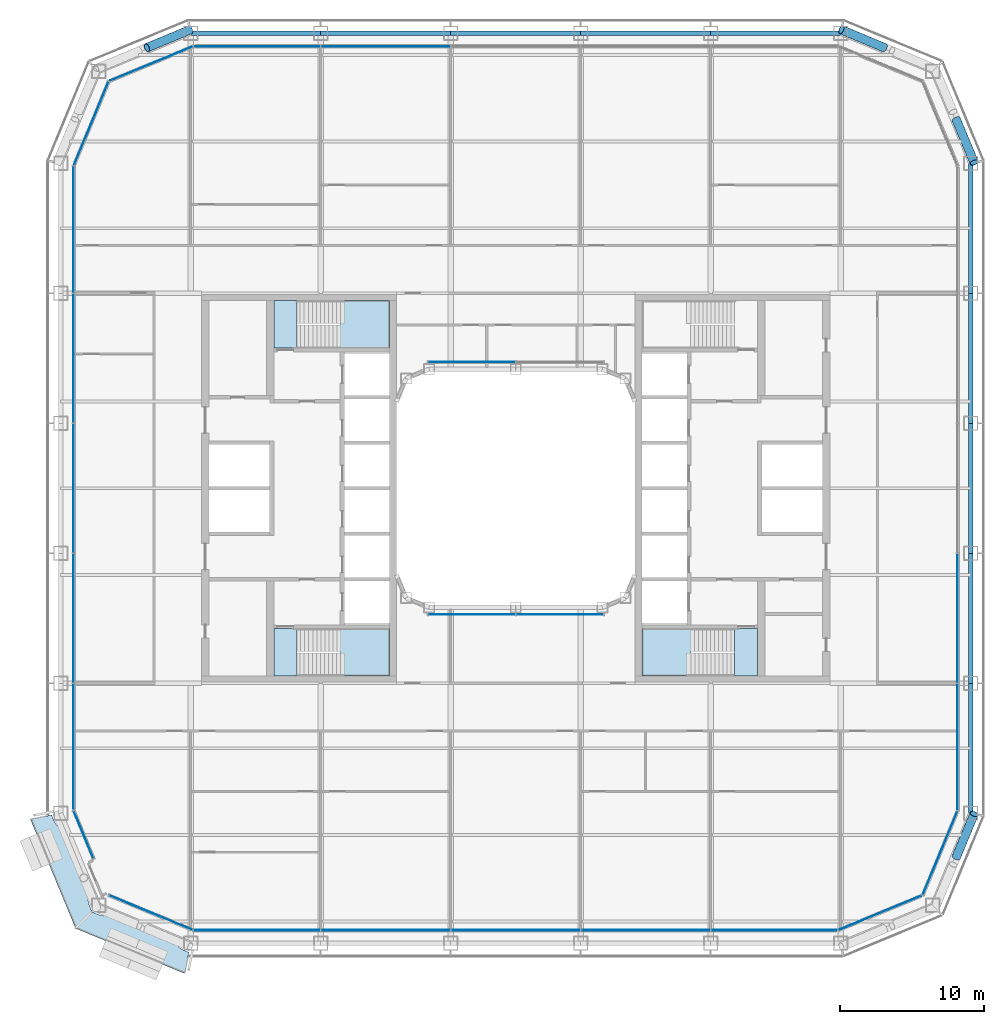
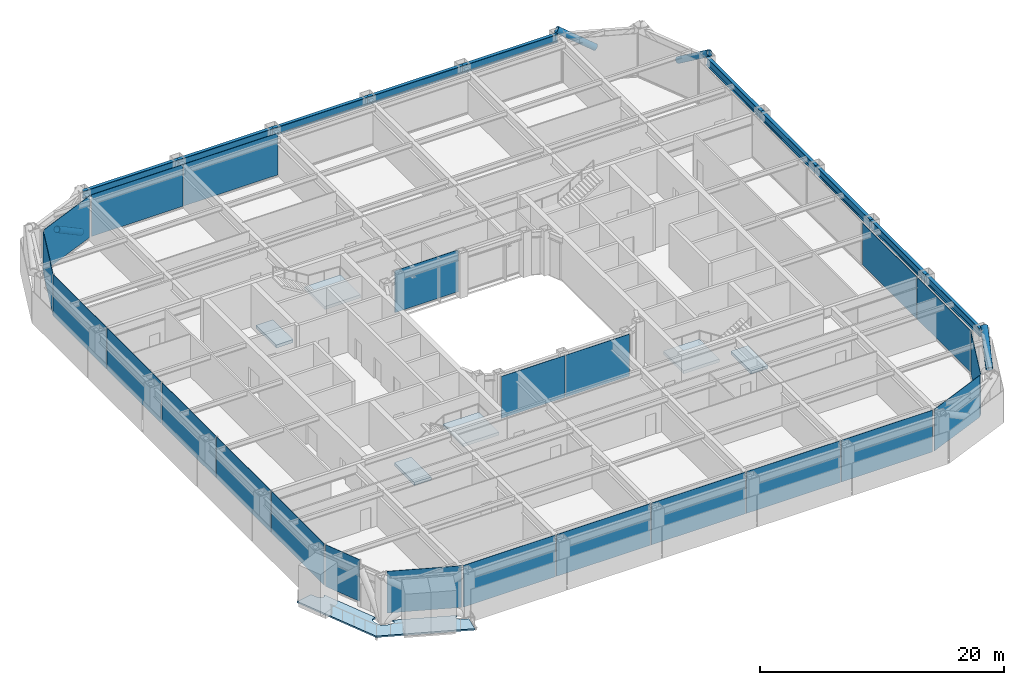
# One storey, part 11 of 27: 23 plates, 10 beams, 7 slabs, 4 members, 15 elements without a shape of their own.
"""IFC4 building model written with IfcOpenShell, lengths in metres."""

from ifc_helpers import new_model, si_unit, direction, frame, origin, origin_2d, place, context, subcontext, project, spatial, polyline, rectangle, hollow_circle, i_section, outline, extrude, material, layer, layer_set, material_profile, profile_set, type_object, element, aggregate, save


model = new_model("IFC4")

# Units and contexts
model_context = context("Model", 3, precision=1e-05, world=origin(), true_north=direction((0.0, 1.0)))
body_context = subcontext(model_context, "Body", "Model", "MODEL_VIEW")
ifc_project = project(units=[si_unit("LENGTHUNIT", "METRE"), si_unit("AREAUNIT", "SQUARE_METRE"), si_unit("VOLUMEUNIT", "CUBIC_METRE"), si_unit("PLANEANGLEUNIT", "RADIAN"), si_unit("MASSUNIT", "GRAM", prefix="KILO")], contexts=[model_context])

# Site, building, storey
site_placement = place(None, origin())
site = spatial("IfcSite", under=ifc_project, at=site_placement, CompositionType="ELEMENT")
building_placement = place(site_placement, origin())
building = spatial("IfcBuilding", under=site, at=building_placement, Name="Siwar Civic Tower", CompositionType="ELEMENT")
storey_placement = place(building_placement, frame((0.0, 0.0, 89.699951171875)))
storey = spatial("IfcBuildingStorey", under=building, at=storey_placement, Name="L19", CompositionType="ELEMENT", Elevation=89.699951171875)

# Members
ifc_material_1 = material(Name="Steel S355", Category="steel")
ifc_material_profile_1 = material_profile(ifc_material_1, hollow_circle(Radius=0.304931640625, WallThickness=0.030029296875, at=origin_2d()), Name="CHS610x30")
ifc_profile_set_1 = profile_set([ifc_material_profile_1], Name="Steel S355")
member_type = type_object("IfcMemberType", Name="STR-BR-CHS610x30", PredefinedType="BRACE", material=ifc_profile_set_1)
for number, where, z_axis, x_axis, name in (
    (1, (30.500244140625, -25.537353515625, 2.428466796875), (0.3238932121, 0.777559680196, 0.53897507446), (-0.923114847559, 0.384524353215, 0.0), "L19/brc/ASE1-18-0-3"),
    (2, (25.537353515625, 30.500244140625, 2.428466796875), (-0.777559680196, 0.3238932121, 0.53897507446), (-0.384524353215, -0.923114847559, 0.0), "L19/brc/ANE1-18-0-3"),
    (3, (30.500244140625, 25.537353515625, 2.428466796875), (0.3238932121, -0.777559680196, 0.53897507446), (0.923114847559, 0.384524353215, 0.0), "L19/brc/ANE1-18-0-5"),
    (4, (-22.548828125, 31.7451171875, 0.0), (-0.777533059308, -0.323882123145, 0.539020140617), (0.384524353215, -0.923114847559, 0.0), "L19/brc/ANW1-18-0-4"),
):
    element("IfcMember", number, at=place(storey_placement, frame(where, z_axis=z_axis, x_axis=x_axis)), inside=storey, type_object=member_type, Name=name, PredefinedType="BRACE", context=body_context, shape_type="SweptSolid", body=[
        extrude(hollow_circle(Radius=0.304931640625, WallThickness=0.030029296875, at=origin_2d()), origin(), (0.0, 0.0, 1.0), 3.843505859375),
    ])

# Beams
ifc_material_2 = material(Name="Steel S355", Category="steel")
ifc_material_profile_2 = material_profile(ifc_material_2, i_section(OverallWidth=0.302978515625, OverallDepth=0.81396484375, WebThickness=0.02099609375, FlangeThickness=0.0400390625, FilletRadius=0.030029296875, at=origin_2d()), Name="HEM800")
ifc_profile_set_2 = profile_set([ifc_material_profile_2], Name="Steel S355")
beam_type = type_object("IfcBeamType", Name="STR-SB-HEM800", PredefinedType="BEAM", material=ifc_profile_set_2)
for number, where, z_axis, x_axis, name in (
    (5, (31.5, -22.5, 3.89306640625), (0.0, 1.0, 0.0), (-1.0, 0.0, 0.0), "L19/bm/SE-0"),
    (6, (31.5, -13.5, 3.89306640625), (0.0, 1.0, 0.0), (-1.0, 0.0, 0.0), "L19/bm/SE-1"),
    (7, (31.5, -4.5, 3.89306640625), (0.0, 1.0, 0.0), (-1.0, 0.0, 0.0), "L19/bm/SE-2"),
    (8, (31.5, 4.5, 3.89306640625), (0.0, 1.0, 0.0), (-1.0, 0.0, 0.0), "L19/bm/SE-3"),
    (9, (31.5, 13.5, 3.89306640625), (0.0, 1.0, 0.0), (-1.0, 0.0, 0.0), "L19/bm/SE-4"),
    (10, (22.5, 31.5, 3.89306640625), (-1.0, 0.0, 0.0), (0.0, -1.0, 0.0), "L19/bm/SN-0"),
    (11, (13.5, 31.5, 3.89306640625), (-1.0, 0.0, 0.0), (0.0, -1.0, 0.0), "L19/bm/SN-1"),
    (12, (4.5, 31.5, 3.89306640625), (-1.0, 0.0, 0.0), (0.0, -1.0, 0.0), "L19/bm/SN-2"),
    (13, (-4.5, 31.5, 3.89306640625), (-1.0, 0.0, 0.0), (0.0, -1.0, 0.0), "L19/bm/SN-3"),
    (14, (-13.5, 31.5, 3.89306640625), (-1.0, 0.0, 0.0), (0.0, -1.0, 0.0), "L19/bm/SN-4"),
):
    element("IfcBeam", number, at=place(storey_placement, frame(where, z_axis=z_axis, x_axis=x_axis)), inside=storey, type_object=beam_type, Name=name, PredefinedType="BEAM", context=body_context, shape_type="SweptSolid", body=[
        extrude(i_section(OverallWidth=0.302978515625, OverallDepth=0.81396484375, WebThickness=0.02099609375, FlangeThickness=0.0400390625, FilletRadius=0.030029296875, at=origin_2d()), origin(), (0.0, 0.0, 1.0), 9.0),
    ])

# Stair, slabs
ifc_material_3 = material(Name="Concrete C40/50", Category="concrete")
stair_type = type_object("IfcStairType", Name="CORE-STAIR", PredefinedType="TWO_STRAIGHT_RUN_STAIR", material=ifc_material_3)
stair_1_placement = place(storey_placement, origin())
stair_1 = element("IfcStair", 15, at=stair_1_placement, inside=storey, type_object=stair_type, Name="Exit stair ST1", PredefinedType="TWO_STRAIGHT_RUN_STAIR")
ifc_material_4 = material(Name="Concrete C40/50", Category="concrete")
ifc_layer_1 = layer(ifc_material_4, 0.300048828125)
ifc_layer_set_1 = layer_set([ifc_layer_1], Name="Concrete C40/50")
slab_type_1 = type_object("IfcSlabType", Name="CORE-STAIR-LANDING", PredefinedType="LANDING", material=ifc_layer_set_1)
slab_1_placement = place(storey_placement, frame((0.0, 0.0, -0.300048828125)))
slab_1 = element("IfcSlab", 16, at=slab_1_placement, type_object=slab_type_1, Name="ST1 landing 1", PredefinedType="LANDING", context=body_context, shape_type="SweptSolid", body=[
    extrude(outline(polyline([(-15.14990234375, 13.0), (-16.75, 13.0), (-16.75, 9.699951171875), (-15.14990234375, 9.699951171875), (-15.14990234375, 13.0)])), origin(), (0.0, 0.0, 1.0), 0.300048828125),
])
slab_2_placement = place(storey_placement, frame((0.0, 0.0, 1.949951171875)))
slab_2 = element("IfcSlab", 17, at=slab_2_placement, type_object=slab_type_1, Name="ST1 landing 2", PredefinedType="LANDING", context=body_context, shape_type="SweptSolid", body=[
    extrude(outline(polyline([(-8.75, 13.0), (-12.139892578125, 13.0), (-12.139892578125, 9.699951171875), (-8.75, 9.699951171875), (-8.75, 13.0)])), origin(), (0.0, 0.0, 1.0), 0.300048828125),
])
aggregate(stair_1, [slab_1, slab_2])

stair_2_placement = place(storey_placement, origin())
stair_2 = element("IfcStair", 18, at=stair_2_placement, inside=storey, type_object=stair_type, Name="Exit stair ST2", PredefinedType="TWO_STRAIGHT_RUN_STAIR")
slab_3_placement = place(storey_placement, frame((0.0, 0.0, -0.300048828125)))
slab_3 = element("IfcSlab", 19, at=slab_3_placement, type_object=slab_type_1, Name="ST2 landing 1", PredefinedType="LANDING", context=body_context, shape_type="SweptSolid", body=[
    extrude(outline(polyline([(-15.14990234375, -9.699951171875), (-16.75, -9.699951171875), (-16.75, -13.0), (-15.14990234375, -13.0), (-15.14990234375, -9.699951171875)])), origin(), (0.0, 0.0, 1.0), 0.300048828125),
])
slab_4_placement = place(storey_placement, frame((0.0, 0.0, 1.949951171875)))
slab_4 = element("IfcSlab", 20, at=slab_4_placement, type_object=slab_type_1, Name="ST2 landing 2", PredefinedType="LANDING", context=body_context, shape_type="SweptSolid", body=[
    extrude(outline(polyline([(-8.75, -9.699951171875), (-12.139892578125, -9.699951171875), (-12.139892578125, -13.0), (-8.75, -13.0), (-8.75, -9.699951171875)])), origin(), (0.0, 0.0, 1.0), 0.300048828125),
])
aggregate(stair_2, [slab_3, slab_4])

stair_3_placement = place(storey_placement, origin())
stair_3 = element("IfcStair", 21, at=stair_3_placement, inside=storey, type_object=stair_type, Name="Exit stair ST4", PredefinedType="TWO_STRAIGHT_RUN_STAIR")
slab_5_placement = place(storey_placement, frame((0.0, 0.0, -0.300048828125)))
slab_5 = element("IfcSlab", 22, at=slab_5_placement, type_object=slab_type_1, Name="ST4 landing 1", PredefinedType="LANDING", context=body_context, shape_type="SweptSolid", body=[
    extrude(outline(polyline([(15.14990234375, -13.0), (16.75, -13.0), (16.75, -9.699951171875), (15.14990234375, -9.699951171875), (15.14990234375, -13.0)])), origin(), (0.0, 0.0, 1.0), 0.300048828125),
])
slab_6_placement = place(storey_placement, frame((0.0, 0.0, 1.949951171875)))
slab_6 = element("IfcSlab", 23, at=slab_6_placement, type_object=slab_type_1, Name="ST4 landing 2", PredefinedType="LANDING", context=body_context, shape_type="SweptSolid", body=[
    extrude(outline(polyline([(8.75, -13.0), (12.139892578125, -13.0), (12.139892578125, -9.699951171875), (8.75, -9.699951171875), (8.75, -13.0)])), origin(), (0.0, 0.0, 1.0), 0.300048828125),
])
aggregate(stair_3, [slab_5, slab_6])

# Slab
ifc_material_5 = material(Name="Concrete C40/50", Category="concrete")
ifc_layer_2 = layer(ifc_material_5, 0.14990234375)
ifc_layer_set_2 = layer_set([ifc_layer_2], Name="Concrete C40/50")
slab_type_2 = type_object("IfcSlabType", Name="ENV-BALCONY DECK 150", PredefinedType="FLOOR", material=ifc_layer_set_2)
slab_7_placement = place(storey_placement, frame((0.0, 0.0, -0.1494140625)))
element("IfcSlab", 24, at=slab_7_placement, inside=storey, type_object=slab_type_2, Name="Tree balcony deck SW", PredefinedType="FLOOR", context=body_context, shape_type="SweptSolid", body=[
    extrude(outline(polyline([(-29.220703125, -29.37255859375), (-29.22119140625, -29.3720703125), (-29.22265625, -29.370849609375), (-29.2255859375, -29.36865234375), (-29.226806640625, -29.367431640625), (-29.227783203125, -29.36669921875), (-29.230712890625, -29.364013671875), (-29.364013671875, -29.364013671875), (-29.364013671875, -29.238037109375), (-29.367431640625, -29.233154296875), (-29.373046875, -29.2236328125), (-29.38916015625, -29.19189453125), (-29.3916015625, -29.186767578125), (-29.3916015625, -29.186767578125), (-29.39794921875, -29.17138671875), (-29.40771484375, -29.14794921875), (-29.498291015625, -28.9306640625), (-29.514404296875, -28.891845703125), (-29.517578125, -28.884033203125), (-29.5185546875, -28.881591796875), (-29.5439453125, -28.814208984375), (-29.545654296875, -28.80908203125), (-29.56591796875, -28.739990234375), (-29.567138671875, -28.73486328125), (-29.58251953125, -28.66455078125), (-29.583984375, -28.6572265625), (-29.591064453125, -28.59375), (-29.59130859375, -28.59130859375), (-29.59716796875, -28.51953125), (-29.597412109375, -28.51318359375), (-29.59716796875, -28.506591796875), (-29.592041015625, -28.45068359375), (-29.59130859375, -28.445068359375), (-29.58203125, -28.389404296875), (-29.5810546875, -28.38427734375), (-29.56787109375, -28.32958984375), (-29.566162109375, -28.3232421875), (-29.56396484375, -28.3173828125), (-29.544189453125, -28.271484375), (-29.540771484375, -28.264404296875), (-29.53662109375, -28.2578125), (-29.5107421875, -28.221435546875), (-29.507080078125, -28.216552734375), (-29.502685546875, -28.2119140625), (-29.498291015625, -28.20751953125), (-29.467041015625, -28.180908203125), (-29.46142578125, -28.1767578125), (-29.45556640625, -28.173095703125), (-29.449462890625, -28.169921875), (-29.413330078125, -28.1533203125), (-29.408447265625, -28.151123046875), (-29.37109375, -28.13720703125), (-29.364501953125, -28.135009765625), (-29.35791015625, -28.133544921875), (-29.35107421875, -28.132568359375), (-29.31005859375, -28.129150390625), (-29.3037109375, -28.12890625), (-29.297607421875, -28.129150390625), (-29.29150390625, -28.1298828125), (-29.247314453125, -28.137451171875), (-29.23974609375, -28.13916015625), (-29.232177734375, -28.1416015625), (-29.185791015625, -28.159912109375), (-29.179931640625, -28.16259765625), (-29.17431640625, -28.16552734375), (-29.14599609375, -28.182861328125), (-31.20556640625, -23.210693359375), (-31.217529296875, -23.260986328125), (-31.21923828125, -23.26708984375), (-31.2216796875, -23.273193359375), (-31.2412109375, -23.31884765625), (-31.244873046875, -23.325927734375), (-31.2490234375, -23.332763671875), (-31.274658203125, -23.369140625), (-31.278564453125, -23.3740234375), (-31.28271484375, -23.378662109375), (-31.287353515625, -23.3828125), (-31.318603515625, -23.40966796875), (-31.323974609375, -23.413818359375), (-31.329833984375, -23.41748046875), (-31.3359375, -23.420654296875), (-31.3720703125, -23.437255859375), (-31.376953125, -23.439453125), (-31.414306640625, -23.453369140625), (-31.4208984375, -23.45556640625), (-31.427734375, -23.45703125), (-31.4345703125, -23.4580078125), (-31.4755859375, -23.46142578125), (-31.481689453125, -23.461669921875), (-31.488037109375, -23.461181640625), (-31.494140625, -23.46044921875), (-31.5380859375, -23.453125), (-31.5458984375, -23.451416015625), (-31.55322265625, -23.448974609375), (-31.599609375, -23.4306640625), (-31.60546875, -23.427978515625), (-31.611083984375, -23.4248046875), (-31.659423828125, -23.3955078125), (-31.66357421875, -23.392578125), (-31.709716796875, -23.360107421875), (-31.717529296875, -23.353515625), (-31.764404296875, -23.309814453125), (-31.76806640625, -23.30615234375), (-31.8115234375, -23.25927734375), (-31.815185546875, -23.255126953125), (-31.85498046875, -23.205322265625), (-31.859619140625, -23.198974609375), (-31.898681640625, -23.138671875), (-31.9013671875, -23.134033203125), (-31.93603515625, -23.07080078125), (-31.9384765625, -23.06591796875), (-31.968505859375, -23.0), (-32.0, -23.0), (-32.0, -22.92529296875), (-32.0927734375, -22.70263671875), (-32.095947265625, -22.69482421875), (-32.095947265625, -22.69482421875), (-32.098388671875, -22.688232421875), (-32.1064453125, -22.662109375), (-32.108154296875, -22.6552734375), (-32.109375, -22.648193359375), (-32.1123046875, -22.621826171875), (-33.60009765625, -22.917724609375), (-30.47119140625, -30.47119140625), (-22.917724609375, -33.60009765625), (-22.62109375, -32.1083984375), (-22.6259765625, -32.1083984375), (-22.6484375, -32.107421875), (-22.649658203125, -32.107421875), (-22.6513671875, -32.107421875), (-22.655029296875, -32.10693359375), (-22.656982421875, -32.106689453125), (-22.65771484375, -32.1064453125), (-22.658447265625, -32.1064453125), (-22.66552734375, -32.104736328125), (-22.686279296875, -32.098876953125), (-22.69482421875, -32.095947265625), (-22.70263671875, -32.0927734375), (-22.719970703125, -32.085693359375), (-22.72607421875, -32.0830078125), (-22.749267578125, -32.0732421875), (-22.7587890625, -32.0693359375), (-22.92529296875, -32.0), (-23.0, -32.0), (-23.0, -31.968505859375), (-23.06591796875, -31.9384765625), (-23.07080078125, -31.93603515625), (-23.134033203125, -31.9013671875), (-23.138671875, -31.898681640625), (-23.198974609375, -31.859619140625), (-23.205322265625, -31.85498046875), (-23.255126953125, -31.815185546875), (-23.25927734375, -31.8115234375), (-23.30615234375, -31.76806640625), (-23.309814453125, -31.764404296875), (-23.353515625, -31.717529296875), (-23.360107421875, -31.709716796875), (-23.392578125, -31.66357421875), (-23.3955078125, -31.659423828125), (-23.4248046875, -31.611083984375), (-23.427978515625, -31.60546875), (-23.4306640625, -31.599609375), (-23.448974609375, -31.55322265625), (-23.451416015625, -31.5458984375), (-23.453125, -31.5380859375), (-23.46044921875, -31.494140625), (-23.461181640625, -31.488037109375), (-23.461669921875, -31.481689453125), (-23.46142578125, -31.4755859375), (-23.4580078125, -31.4345703125), (-23.45703125, -31.427734375), (-23.45556640625, -31.4208984375), (-23.453369140625, -31.414306640625), (-23.439453125, -31.376953125), (-23.437255859375, -31.3720703125), (-23.420654296875, -31.3359375), (-23.41748046875, -31.329833984375), (-23.413818359375, -31.323974609375), (-23.40966796875, -31.318603515625), (-23.3828125, -31.287353515625), (-23.378662109375, -31.28271484375), (-23.3740234375, -31.278564453125), (-23.369140625, -31.274658203125), (-23.332763671875, -31.2490234375), (-23.325927734375, -31.244873046875), (-23.31884765625, -31.2412109375), (-23.273193359375, -31.2216796875), (-23.26708984375, -31.21923828125), (-23.260986328125, -31.217529296875), (-23.210693359375, -31.20556640625), (-28.182861328125, -29.14599609375), (-28.16552734375, -29.17431640625), (-28.16259765625, -29.179931640625), (-28.159912109375, -29.185791015625), (-28.1416015625, -29.232177734375), (-28.13916015625, -29.23974609375), (-28.137451171875, -29.247314453125), (-28.1298828125, -29.29150390625), (-28.129150390625, -29.297607421875), (-28.12890625, -29.3037109375), (-28.129150390625, -29.31005859375), (-28.132568359375, -29.35107421875), (-28.133544921875, -29.35791015625), (-28.135009765625, -29.364501953125), (-28.13720703125, -29.37109375), (-28.151123046875, -29.408447265625), (-28.1533203125, -29.413330078125), (-28.169921875, -29.449462890625), (-28.173095703125, -29.45556640625), (-28.1767578125, -29.46142578125), (-28.180908203125, -29.467041015625), (-28.20751953125, -29.498291015625), (-28.2119140625, -29.502685546875), (-28.216552734375, -29.507080078125), (-28.221435546875, -29.5107421875), (-28.2578125, -29.53662109375), (-28.264404296875, -29.540771484375), (-28.271484375, -29.544189453125), (-28.3173828125, -29.56396484375), (-28.3232421875, -29.566162109375), (-28.32958984375, -29.56787109375), (-28.38427734375, -29.5810546875), (-28.389404296875, -29.58203125), (-28.445068359375, -29.59130859375), (-28.45068359375, -29.592041015625), (-28.506591796875, -29.59716796875), (-28.51318359375, -29.597412109375), (-28.51953125, -29.59716796875), (-28.59130859375, -29.59130859375), (-28.59375, -29.591064453125), (-28.6572265625, -29.583984375), (-28.66455078125, -29.58251953125), (-28.73486328125, -29.567138671875), (-28.739990234375, -29.56591796875), (-28.80908203125, -29.545654296875), (-28.814208984375, -29.5439453125), (-28.881591796875, -29.5185546875), (-28.884033203125, -29.517578125), (-28.891845703125, -29.514404296875), (-28.9306640625, -29.498291015625), (-29.107666015625, -29.424560546875), (-29.116943359375, -29.420654296875), (-29.14794921875, -29.40771484375), (-29.17138671875, -29.39794921875), (-29.186767578125, -29.3916015625), (-29.195068359375, -29.387451171875), (-29.2138671875, -29.376953125), (-29.219970703125, -29.373046875), (-29.220703125, -29.37255859375)])), origin(), (0.0, 0.0, 1.0), 0.1494140625),
])

# Curtain wall, plates
ifc_material_6 = material(Name="Aluminium and glass", Category="aluminium")
ifc_layer_3 = layer(ifc_material_6, 0.219970703125)
ifc_layer_set_3 = layer_set([ifc_layer_3], Name="Aluminium and glass")
curtain_wall_type_1 = type_object("IfcCurtainWallType", Name="ENV-CW-A", PredefinedType="NOTDEFINED", material=ifc_layer_set_3)
curtain_wall_1_placement = place(storey_placement, origin())
curtain_wall_1 = element("IfcCurtainWall", 25, at=curtain_wall_1_placement, inside=storey, type_object=curtain_wall_type_1, Name="Curtain wall A S", PredefinedType="NOTDEFINED")
ifc_material_7 = material(Name="Glass clear laminated", Category="glass")
ifc_layer_4 = layer(ifc_material_7, 0.035888671875)
ifc_layer_set_4 = layer_set([ifc_layer_4], Name="Glass clear laminated")
plate_type_1 = type_object("IfcPlateType", Name="ENV-PANEL-A", PredefinedType="CURTAIN_PANEL", material=ifc_layer_set_4)
plate_1_placement = place(storey_placement, frame((-17.910400390625, -30.60009765625, 0.1201171875), z_axis=(0.0, 0.0, 1.0), x_axis=(1.0, 0.0, 0.0)))
plate_1 = element("IfcPlate", 26, at=plate_1_placement, type_object=plate_type_1, Name="Curtain panel A S 1", PredefinedType="CURTAIN_PANEL", context=body_context, shape_type="SweptSolid", body=[
    extrude(rectangle(XDim=8.7509765625, YDim=0.035888671875, at=origin_2d()), origin(), (0.0, 0.0, 1.0), 4.179931640625),
])
plate_2_placement = place(storey_placement, frame((-9.0, -30.60009765625, 0.1201171875), z_axis=(0.0, 0.0, 1.0), x_axis=(1.0, 0.0, 0.0)))
plate_2 = element("IfcPlate", 27, at=plate_2_placement, type_object=plate_type_1, Name="Curtain panel A S 2", PredefinedType="CURTAIN_PANEL", context=body_context, shape_type="SweptSolid", body=[
    extrude(rectangle(XDim=8.929931640625, YDim=0.035888671875, at=origin_2d()), origin(), (0.0, 0.0, 1.0), 4.179931640625),
])
plate_3_placement = place(storey_placement, frame((0.0, -30.60009765625, 0.1201171875), z_axis=(0.0, 0.0, 1.0), x_axis=(1.0, 0.0, 0.0)))
plate_3 = element("IfcPlate", 28, at=plate_3_placement, type_object=plate_type_1, Name="Curtain panel A S 3", PredefinedType="CURTAIN_PANEL", context=body_context, shape_type="SweptSolid", body=[
    extrude(rectangle(XDim=8.929931640625, YDim=0.035888671875, at=origin_2d()), origin(), (0.0, 0.0, 1.0), 4.179931640625),
])
plate_4_placement = place(storey_placement, frame((9.0, -30.60009765625, 0.1201171875), z_axis=(0.0, 0.0, 1.0), x_axis=(1.0, 0.0, 0.0)))
plate_4 = element("IfcPlate", 29, at=plate_4_placement, type_object=plate_type_1, Name="Curtain panel A S 4", PredefinedType="CURTAIN_PANEL", context=body_context, shape_type="SweptSolid", body=[
    extrude(rectangle(XDim=8.929931640625, YDim=0.035888671875, at=origin_2d()), origin(), (0.0, 0.0, 1.0), 4.179931640625),
])
plate_5_placement = place(storey_placement, frame((17.86669921875, -30.60009765625, 0.1201171875), z_axis=(0.0, 0.0, 1.0), x_axis=(1.0, 0.0, 0.0)))
plate_5 = element("IfcPlate", 30, at=plate_5_placement, type_object=plate_type_1, Name="Curtain panel A S 5", PredefinedType="CURTAIN_PANEL", context=body_context, shape_type="SweptSolid", body=[
    extrude(rectangle(XDim=8.663330078125, YDim=0.035888671875, at=origin_2d()), origin(), (0.0, 0.0, 1.0), 4.179931640625),
])
aggregate(curtain_wall_1, [plate_1, plate_2, plate_3, plate_4, plate_5])

curtain_wall_2_placement = place(storey_placement, origin())
curtain_wall_2 = element("IfcCurtainWall", 31, at=curtain_wall_2_placement, inside=storey, type_object=curtain_wall_type_1, Name="Curtain wall A E", PredefinedType="NOTDEFINED")
plate_6_placement = place(storey_placement, frame((30.60009765625, -17.910400390625, 0.1201171875), z_axis=(0.0, 0.0, 1.0), x_axis=(0.0, 1.0, 0.0)))
plate_6 = element("IfcPlate", 32, at=plate_6_placement, type_object=plate_type_1, Name="Curtain panel A E 1", PredefinedType="CURTAIN_PANEL", context=body_context, shape_type="SweptSolid", body=[
    extrude(rectangle(XDim=8.7509765625, YDim=0.035888671875, at=origin_2d()), origin(), (0.0, 0.0, 1.0), 4.179931640625),
])
plate_7_placement = place(storey_placement, frame((30.60009765625, -9.0, 0.1201171875), z_axis=(0.0, 0.0, 1.0), x_axis=(0.0, 1.0, 0.0)))
plate_7 = element("IfcPlate", 33, at=plate_7_placement, type_object=plate_type_1, Name="Curtain panel A E 2", PredefinedType="CURTAIN_PANEL", context=body_context, shape_type="SweptSolid", body=[
    extrude(rectangle(XDim=8.929931640625, YDim=0.035888671875, at=origin_2d()), origin(), (0.0, 0.0, 1.0), 4.179931640625),
])
aggregate(curtain_wall_2, [plate_6, plate_7])

curtain_wall_3_placement = place(storey_placement, origin())
curtain_wall_3 = element("IfcCurtainWall", 34, at=curtain_wall_3_placement, inside=storey, type_object=curtain_wall_type_1, Name="Curtain wall A N", PredefinedType="NOTDEFINED")
plate_8_placement = place(storey_placement, frame((-9.0, 30.60009765625, 0.1201171875), z_axis=(0.0, 0.0, 1.0), x_axis=(-1.0, 0.0, 0.0)))
plate_8 = element("IfcPlate", 35, at=plate_8_placement, type_object=plate_type_1, Name="Curtain panel A N 4", PredefinedType="CURTAIN_PANEL", context=body_context, shape_type="SweptSolid", body=[
    extrude(rectangle(XDim=8.929931640625, YDim=0.035888671875, at=origin_2d()), origin(), (0.0, 0.0, 1.0), 4.179931640625),
])
plate_9_placement = place(storey_placement, frame((-17.86669921875, 30.60009765625, 0.1201171875), z_axis=(0.0, 0.0, 1.0), x_axis=(-1.0, 0.0, 0.0)))
plate_9 = element("IfcPlate", 36, at=plate_9_placement, type_object=plate_type_1, Name="Curtain panel A N 5", PredefinedType="CURTAIN_PANEL", context=body_context, shape_type="SweptSolid", body=[
    extrude(rectangle(XDim=8.663330078125, YDim=0.035888671875, at=origin_2d()), origin(), (0.0, 0.0, 1.0), 4.179931640625),
])
aggregate(curtain_wall_3, [plate_8, plate_9])

curtain_wall_4_placement = place(storey_placement, origin())
curtain_wall_4 = element("IfcCurtainWall", 37, at=curtain_wall_4_placement, inside=storey, type_object=curtain_wall_type_1, Name="Curtain wall A W", PredefinedType="NOTDEFINED")
plate_10_placement = place(storey_placement, frame((-30.60009765625, 17.910400390625, 0.1201171875), z_axis=(0.0, 0.0, 1.0), x_axis=(0.0, -1.0, 0.0)))
plate_10 = element("IfcPlate", 38, at=plate_10_placement, type_object=plate_type_1, Name="Curtain panel A W 1", PredefinedType="CURTAIN_PANEL", context=body_context, shape_type="SweptSolid", body=[
    extrude(rectangle(XDim=8.7509765625, YDim=0.035888671875, at=origin_2d()), origin(), (0.0, 0.0, 1.0), 4.179931640625),
])
plate_11_placement = place(storey_placement, frame((-30.60009765625, 9.0, 0.1201171875), z_axis=(0.0, 0.0, 1.0), x_axis=(0.0, -1.0, 0.0)))
plate_11 = element("IfcPlate", 39, at=plate_11_placement, type_object=plate_type_1, Name="Curtain panel A W 2", PredefinedType="CURTAIN_PANEL", context=body_context, shape_type="SweptSolid", body=[
    extrude(rectangle(XDim=8.929931640625, YDim=0.035888671875, at=origin_2d()), origin(), (0.0, 0.0, 1.0), 4.179931640625),
])
plate_12_placement = place(storey_placement, frame((-30.60009765625, 0.0, 0.1201171875), z_axis=(0.0, 0.0, 1.0), x_axis=(0.0, -1.0, 0.0)))
plate_12 = element("IfcPlate", 40, at=plate_12_placement, type_object=plate_type_1, Name="Curtain panel A W 3", PredefinedType="CURTAIN_PANEL", context=body_context, shape_type="SweptSolid", body=[
    extrude(rectangle(XDim=8.929931640625, YDim=0.035888671875, at=origin_2d()), origin(), (0.0, 0.0, 1.0), 4.179931640625),
])
plate_13_placement = place(storey_placement, frame((-30.60009765625, -9.0, 0.1201171875), z_axis=(0.0, 0.0, 1.0), x_axis=(0.0, -1.0, 0.0)))
plate_13 = element("IfcPlate", 41, at=plate_13_placement, type_object=plate_type_1, Name="Curtain panel A W 4", PredefinedType="CURTAIN_PANEL", context=body_context, shape_type="SweptSolid", body=[
    extrude(rectangle(XDim=8.929931640625, YDim=0.035888671875, at=origin_2d()), origin(), (0.0, 0.0, 1.0), 4.179931640625),
])
plate_14_placement = place(storey_placement, frame((-30.60009765625, -17.86669921875, 0.1201171875), z_axis=(0.0, 0.0, 1.0), x_axis=(0.0, -1.0, 0.0)))
plate_14 = element("IfcPlate", 42, at=plate_14_placement, type_object=plate_type_1, Name="Curtain panel A W 5", PredefinedType="CURTAIN_PANEL", context=body_context, shape_type="SweptSolid", body=[
    extrude(rectangle(XDim=8.663330078125, YDim=0.035888671875, at=origin_2d()), origin(), (0.0, 0.0, 1.0), 4.179931640625),
])
aggregate(curtain_wall_4, [plate_10, plate_11, plate_12, plate_13, plate_14])

# Curtain wall, plate
ifc_material_8 = material(Name="Aluminium clad insulated panel", Category="aluminium")
ifc_layer_5 = layer(ifc_material_8, 0.219970703125)
ifc_layer_set_5 = layer_set([ifc_layer_5], Name="Aluminium clad insulated panel")
curtain_wall_type_2 = type_object("IfcCurtainWallType", Name="ENV-CW-AX", PredefinedType="NOTDEFINED", material=ifc_layer_set_5)
curtain_wall_5_placement = place(storey_placement, origin())
curtain_wall_5 = element("IfcCurtainWall", 43, at=curtain_wall_5_placement, inside=storey, type_object=curtain_wall_type_2, Name="Curtain wall A SE1", PredefinedType="NOTDEFINED")
ifc_material_9 = material(Name="Aluminium clad insulated panel", Category="aluminium")
ifc_layer_6 = layer(ifc_material_9, 0.035888671875)
ifc_layer_set_6 = layer_set([ifc_layer_6], Name="Aluminium clad insulated panel")
plate_type_2 = type_object("IfcPlateType", Name="ENV-PANEL-AX", PredefinedType="CURTAIN_PANEL", material=ifc_layer_set_6)
plate_15_placement = place(storey_placement, frame((25.20751953125, -29.404296875, 0.1201171875), z_axis=(0.0, 0.0, 1.0), x_axis=(0.923879532511, 0.382683432365, 0.0)))
plate_15 = element("IfcPlate", 44, at=plate_15_placement, type_object=plate_type_2, Name="Curtain panel A SE1 1", PredefinedType="CURTAIN_PANEL", context=body_context, shape_type="SweptSolid", body=[
    extrude(rectangle(XDim=6.178955078125, YDim=0.035888671875, at=origin_2d()), origin(), (0.0, 0.0, 1.0), 4.179931640625),
])
aggregate(curtain_wall_5, [plate_15])

curtain_wall_6_placement = place(storey_placement, origin())
curtain_wall_6 = element("IfcCurtainWall", 45, at=curtain_wall_6_placement, inside=storey, type_object=curtain_wall_type_2, Name="Curtain wall A SE2", PredefinedType="NOTDEFINED")
plate_16_placement = place(storey_placement, frame((29.370849609375, -25.28857421875, 0.1201171875), z_axis=(0.0, 0.0, 1.0), x_axis=(0.382683432365, 0.923879532511, 0.0)))
plate_16 = element("IfcPlate", 46, at=plate_16_placement, type_object=plate_type_2, Name="Curtain panel A SE2 1", PredefinedType="CURTAIN_PANEL", context=body_context, shape_type="SweptSolid", body=[
    extrude(rectangle(XDim=6.178955078125, YDim=0.035888671875, at=origin_2d()), origin(), (0.0, 0.0, 1.0), 4.179931640625),
])
aggregate(curtain_wall_6, [plate_16])

curtain_wall_7_placement = place(storey_placement, origin())
curtain_wall_7 = element("IfcCurtainWall", 47, at=curtain_wall_7_placement, inside=storey, type_object=curtain_wall_type_2, Name="Curtain wall A NW1", PredefinedType="NOTDEFINED")
plate_17_placement = place(storey_placement, frame((-25.20751953125, 29.404296875, 0.1201171875), z_axis=(0.0, 0.0, 1.0), x_axis=(-0.923879532511, -0.382683432365, 0.0)))
plate_17 = element("IfcPlate", 48, at=plate_17_placement, type_object=plate_type_2, Name="Curtain panel A NW1 1", PredefinedType="CURTAIN_PANEL", context=body_context, shape_type="SweptSolid", body=[
    extrude(rectangle(XDim=6.178955078125, YDim=0.035888671875, at=origin_2d()), origin(), (0.0, 0.0, 1.0), 4.179931640625),
])
aggregate(curtain_wall_7, [plate_17])

curtain_wall_8_placement = place(storey_placement, origin())
curtain_wall_8 = element("IfcCurtainWall", 49, at=curtain_wall_8_placement, inside=storey, type_object=curtain_wall_type_2, Name="Curtain wall A NW2", PredefinedType="NOTDEFINED")
plate_18_placement = place(storey_placement, frame((-29.370849609375, 25.28857421875, 0.1201171875), z_axis=(0.0, 0.0, 1.0), x_axis=(-0.382683432365, -0.923879532511, 0.0)))
plate_18 = element("IfcPlate", 50, at=plate_18_placement, type_object=plate_type_2, Name="Curtain panel A NW2 1", PredefinedType="CURTAIN_PANEL", context=body_context, shape_type="SweptSolid", body=[
    extrude(rectangle(XDim=6.178955078125, YDim=0.035888671875, at=origin_2d()), origin(), (0.0, 0.0, 1.0), 4.179931640625),
])
aggregate(curtain_wall_8, [plate_18])

curtain_wall_9_placement = place(storey_placement, origin())
curtain_wall_9 = element("IfcCurtainWall", 51, at=curtain_wall_9_placement, inside=storey, type_object=curtain_wall_type_2, Name="Curtain wall A SW1", PredefinedType="NOTDEFINED")
plate_19_placement = place(storey_placement, frame((-29.90966796875, -23.9873046875, 0.1201171875), z_axis=(0.0, 0.0, 1.0), x_axis=(0.382683432365, -0.923879532511, 0.0)))
plate_19 = element("IfcPlate", 52, at=plate_19_placement, type_object=plate_type_2, Name="Curtain panel A SW1 1", PredefinedType="CURTAIN_PANEL", context=body_context, shape_type="SweptSolid", body=[
    extrude(rectangle(XDim=3.537353515625, YDim=0.035888671875, at=origin_2d()), origin(), (0.0, 0.0, 1.0), 4.179931640625),
])
aggregate(curtain_wall_9, [plate_19])

curtain_wall_10_placement = place(storey_placement, origin())
curtain_wall_10 = element("IfcCurtainWall", 53, at=curtain_wall_10_placement, inside=storey, type_object=curtain_wall_type_2, Name="Curtain wall A SW2", PredefinedType="NOTDEFINED")
plate_20_placement = place(storey_placement, frame((-25.28857421875, -29.370849609375, 0.1201171875), z_axis=(0.0, 0.0, 1.0), x_axis=(0.923879532511, -0.382683432365, 0.0)))
plate_20 = element("IfcPlate", 54, at=plate_20_placement, type_object=plate_type_2, Name="Curtain panel A SW2 1", PredefinedType="CURTAIN_PANEL", context=body_context, shape_type="SweptSolid", body=[
    extrude(rectangle(XDim=6.178955078125, YDim=0.035888671875, at=origin_2d()), origin(), (0.0, 0.0, 1.0), 4.179931640625),
])
aggregate(curtain_wall_10, [plate_20])

# Curtain wall, plates
ifc_material_10 = material(Name="Aluminium and glass", Category="aluminium")
ifc_layer_7 = layer(ifc_material_10, 0.179931640625)
ifc_layer_set_7 = layer_set([ifc_layer_7], Name="Aluminium and glass")
curtain_wall_type_3 = type_object("IfcCurtainWallType", Name="ENV-CW-W", PredefinedType="NOTDEFINED", material=ifc_layer_set_7)
curtain_wall_11_placement = place(storey_placement, origin())
curtain_wall_11 = element("IfcCurtainWall", 55, at=curtain_wall_11_placement, inside=storey, type_object=curtain_wall_type_3, Name="Curtain wall W WS", PredefinedType="NOTDEFINED")
ifc_material_11 = material(Name="Glass clear laminated", Category="glass")
ifc_layer_8 = layer(ifc_material_11, 0.031982421875)
ifc_layer_set_8 = layer_set([ifc_layer_8], Name="Glass clear laminated")
plate_type_3 = type_object("IfcPlateType", Name="ENV-PANEL-W", PredefinedType="CURTAIN_PANEL", material=ifc_layer_set_8)
plate_21_placement = place(storey_placement, frame((-3.04833984375, -8.735107421875, 0.10009765625), z_axis=(0.0, 0.0, 1.0), x_axis=(1.0, 0.0, 0.0)))
plate_21 = element("IfcPlate", 56, at=plate_21_placement, type_object=plate_type_3, Name="Curtain panel W WS 1", PredefinedType="CURTAIN_PANEL", context=body_context, shape_type="SweptSolid", body=[
    extrude(rectangle(XDim=6.036376953125, YDim=0.031982421875, at=origin_2d()), origin(), (0.0, 0.0, 1.0), 4.199951171875),
])
plate_22_placement = place(storey_placement, frame((3.04833984375, -8.735107421875, 0.10009765625), z_axis=(0.0, 0.0, 1.0), x_axis=(1.0, 0.0, 0.0)))
plate_22 = element("IfcPlate", 57, at=plate_22_placement, type_object=plate_type_3, Name="Curtain panel W WS 2", PredefinedType="CURTAIN_PANEL", context=body_context, shape_type="SweptSolid", body=[
    extrude(rectangle(XDim=6.036376953125, YDim=0.031982421875, at=origin_2d()), origin(), (0.0, 0.0, 1.0), 4.199951171875),
])
aggregate(curtain_wall_11, [plate_21, plate_22])

# Curtain wall, plate
curtain_wall_12_placement = place(storey_placement, origin())
curtain_wall_12 = element("IfcCurtainWall", 58, at=curtain_wall_12_placement, inside=storey, type_object=curtain_wall_type_3, Name="Curtain wall W WN", PredefinedType="NOTDEFINED")
plate_23_placement = place(storey_placement, frame((-3.04833984375, 8.735107421875, 0.10009765625), z_axis=(0.0, 0.0, 1.0), x_axis=(-1.0, 0.0, 0.0)))
plate_23 = element("IfcPlate", 59, at=plate_23_placement, type_object=plate_type_3, Name="Curtain panel W WN 2", PredefinedType="CURTAIN_PANEL", context=body_context, shape_type="SweptSolid", body=[
    extrude(rectangle(XDim=6.036376953125, YDim=0.031982421875, at=origin_2d()), origin(), (0.0, 0.0, 1.0), 4.199951171875),
])
aggregate(curtain_wall_12, [plate_23])

save(model, "model.ifc")
